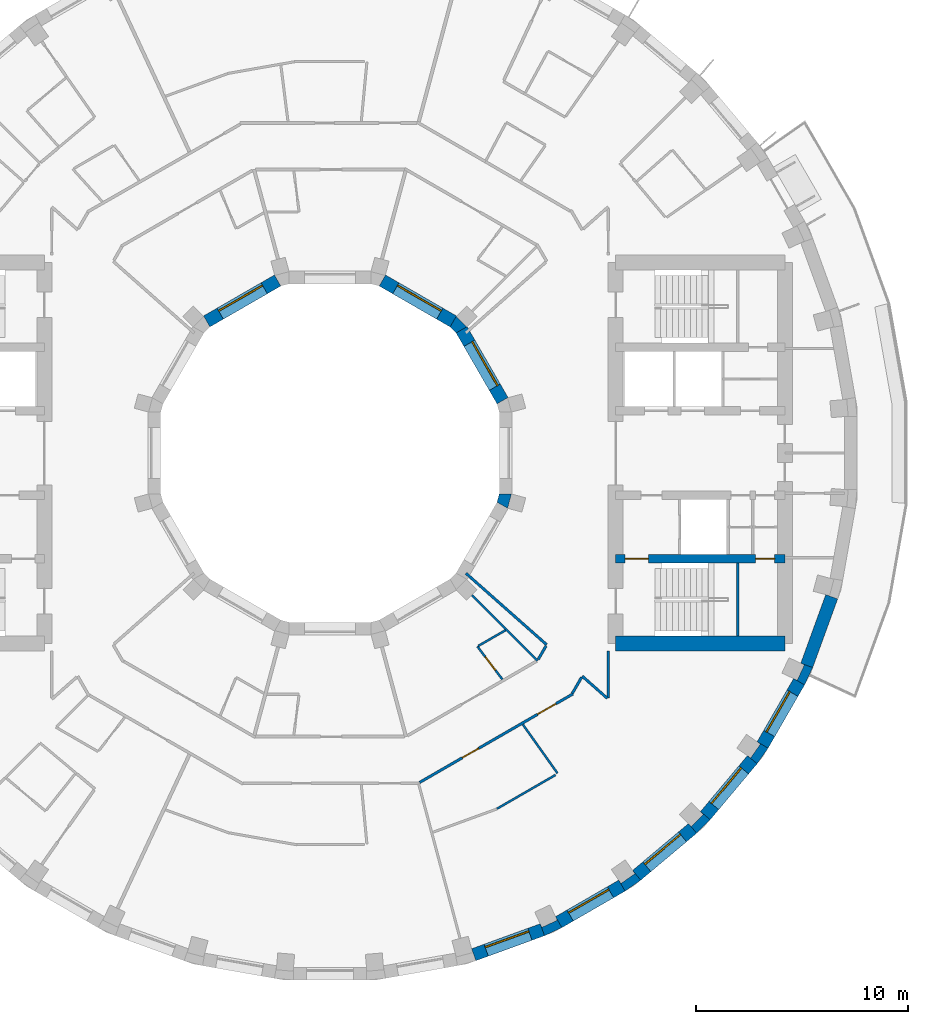
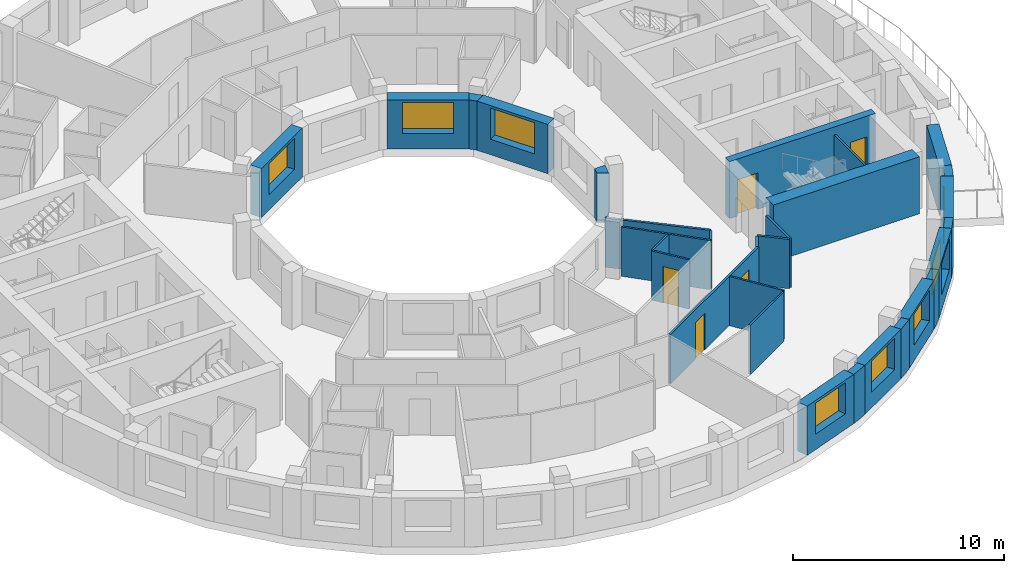
# One storey, part 5 of 11: 30 walls, 8 windows, 5 doors, 13 openings.
"""IFC4 building model written with IfcOpenShell, lengths in metres."""

from ifc_helpers import new_model, si_unit, direction, frame, frame_2d, origin, place, context, subcontext, project, spatial, polyline, rectangle, outline, extrude, material, layer, layer_set, type_object, element, fill, save


model = new_model("IFC4")

# Units and contexts
model_context = context("Model", 3, precision=1e-05, world=origin(), true_north=direction((0.0, 1.0)))
body_context = subcontext(model_context, "Body", "Model", "MODEL_VIEW")
ifc_project = project(units=[si_unit("LENGTHUNIT", "METRE"), si_unit("AREAUNIT", "SQUARE_METRE"), si_unit("VOLUMEUNIT", "CUBIC_METRE"), si_unit("PLANEANGLEUNIT", "RADIAN"), si_unit("MASSUNIT", "GRAM", prefix="KILO")], contexts=[model_context])

# Site, building, storey
site_placement = place(None, origin())
site = spatial("IfcSite", under=ifc_project, at=site_placement, CompositionType="ELEMENT")
building_placement = place(site_placement, origin())
building = spatial("IfcBuilding", under=site, at=building_placement, Name="Saqina Gate Tower", CompositionType="ELEMENT")
storey_placement = place(building_placement, frame((0.0, 0.0, 187.199951171875)))
storey = spatial("IfcBuildingStorey", under=building, at=storey_placement, Name="L53", CompositionType="ELEMENT", Elevation=187.199951171875)

# Walls
ifc_material_1 = material(Name="Brick masonry (buff)", Category="masonry")
wall_type_1 = type_object("IfcWallType", Name="BRICK PIER COPING BUFF", PredefinedType="SOLIDWALL", material=ifc_material_1)
wall_1_placement = place(storey_placement, origin())
element("IfcWall", 1, at=wall_1_placement, inside=storey, type_object=wall_type_1, Name="Pier cap L53 column 30", PredefinedType="SOLIDWALL", context=body_context, shape_type="SweptSolid", body=[
    extrude(outline(polyline([(10.958740234375, -22.4306640625), (10.65869140625, -21.9111328125), (10.73779296875, -22.080810546875), (10.0126953125, -22.4189453125), (9.93359375, -22.249267578125), (10.138916015625, -22.81298828125), (10.958740234375, -22.4306640625)])), origin(), (0.0, 0.0, 1.0), 2.85009765625),
])
wall_2_placement = place(storey_placement, origin())
element("IfcWall", 2, at=wall_2_placement, inside=storey, type_object=wall_type_1, Name="Pier cap L53 column 31", PredefinedType="SOLIDWALL", context=body_context, shape_type="SweptSolid", body=[
    extrude(outline(polyline([(13.9462890625, -20.705810546875), (14.687255859375, -20.18701171875), (14.301513671875, -19.727294921875), (14.408935546875, -19.880859375), (13.753662109375, -20.339599609375), (13.646240234375, -20.186279296875), (13.9462890625, -20.705810546875)])), origin(), (0.0, 0.0, 1.0), 2.85009765625),
])
wall_3_placement = place(storey_placement, origin())
element("IfcWall", 3, at=wall_3_placement, inside=storey, type_object=wall_type_1, Name="Pier cap L53 column 32", PredefinedType="SOLIDWALL", context=body_context, shape_type="SweptSolid", body=[
    extrude(outline(polyline([(17.969482421875, -17.329833984375), (17.510009765625, -16.944091796875), (17.642333984375, -17.07666015625), (17.07666015625, -17.642333984375), (16.944091796875, -17.510009765625), (17.329833984375, -17.969482421875), (17.969482421875, -17.329833984375)])), origin(), (0.0, 0.0, 1.0), 2.85009765625),
])
wall_4_placement = place(storey_placement, origin())
element("IfcWall", 4, at=wall_4_placement, inside=storey, type_object=wall_type_1, Name="Pier cap L53 column 33", PredefinedType="SOLIDWALL", context=body_context, shape_type="SweptSolid", body=[
    extrude(outline(polyline([(20.18701171875, -14.687255859375), (20.705810546875, -13.9462890625), (20.186279296875, -13.646240234375), (20.339599609375, -13.753662109375), (19.880859375, -14.408935546875), (19.727294921875, -14.301513671875), (20.18701171875, -14.687255859375)])), origin(), (0.0, 0.0, 1.0), 2.85009765625),
])
wall_5_placement = place(storey_placement, origin())
element("IfcWall", 5, at=wall_5_placement, inside=storey, type_object=wall_type_1, Name="Pier cap L53 column 34", PredefinedType="SOLIDWALL", context=body_context, shape_type="SweptSolid", body=[
    extrude(outline(polyline([(22.81298828125, -10.138916015625), (22.249267578125, -9.93359375), (22.4189453125, -10.0126953125), (22.080810546875, -10.73779296875), (21.9111328125, -10.65869140625), (22.4306640625, -10.958740234375), (22.81298828125, -10.138916015625)])), origin(), (0.0, 0.0, 1.0), 2.85009765625),
])

# Wall, opening, window
ifc_material_2 = material(Name="Brick masonry (buff)", Category="masonry")
ifc_layer_1 = layer(ifc_material_2, 0.60009765625)
ifc_layer_set_1 = layer_set([ifc_layer_1], Name="FW-BRICK-BUFF")
wall_type_2 = type_object("IfcWallType", Name="FW-BRICK-BUFF", PredefinedType="SOLIDWALL", material=ifc_layer_set_1)
wall_6_placement = place(storey_placement, frame((6.79443359375, -23.7109375, 0.0), z_axis=(0.0, 0.0, 1.0), x_axis=(0.93968799822, 0.342032843455, 0.0)))
wall_6 = element("IfcWall", 6, at=wall_6_placement, inside=storey, type_object=wall_type_2, Name="Facade wall L53 facet 29", PredefinedType="SOLIDWALL", context=body_context, shape_type="SweptSolid", body=[
    extrude(rectangle(XDim=3.44970703125, YDim=0.60009765625, at=frame_2d((1.724853515625, 0.0))), origin(), (0.0, 0.0, 1.0), 2.85009765625),
])
opening_1_placement = place(wall_6_placement, frame((0.625, 0.0, 0.89990234375)))
opening_1 = element("IfcOpeningElement", 7, at=opening_1_placement, cuts=wall_6, Name="Opening G15-W21", PredefinedType="OPENING", context=body_context, shape_type="SweptSolid", body=[
    extrude(rectangle(XDim=2.199951171875, YDim=1.800048828125, at=frame_2d((1.10009765625, 0.89990234375))), frame((0.0, 0.31201171875, 0.0), z_axis=(0.0, -1.0, 0.0), x_axis=(1.0, 0.0, 0.0)), (0.0, 0.0, 1.0), 0.6240234375),
])
ifc_material_3 = material(Name="Aluminium glazing", Category="aluminium")
window_type_1 = type_object("IfcWindowType", Name="WN-C", PartitioningType="SINGLE_PANEL", PredefinedType="WINDOW", material=ifc_material_3)
window_1_placement = place(opening_1_placement, origin())
window_1 = element("IfcWindow", 8, at=window_1_placement, inside=storey, type_object=window_type_1, Name="Window L53 facet 29", OverallHeight=1.800048828125, OverallWidth=2.199951171875, PartitioningType="SINGLE_PANEL", PredefinedType="WINDOW", context=body_context, shape_type="SweptSolid", body=[
    extrude(rectangle(XDim=2.199951171875, YDim=1.800048828125, at=frame_2d((1.10009765625, 0.89990234375))), frame((0.0, 0.179931640625, 0.0), z_axis=(0.0, -1.0, 0.0), x_axis=(1.0, 0.0, 0.0)), (0.0, 0.0, 1.0), 0.06005859375),
])
fill(opening_1, window_1)

wall_7_placement = place(storey_placement, frame((10.80859375, -22.1708984375, 0.0), z_axis=(0.0, 0.0, 1.0), x_axis=(0.86602648383, 0.499998129301, 0.0)))
wall_7 = element("IfcWall", 9, at=wall_7_placement, inside=storey, type_object=wall_type_2, Name="Facade wall L53 facet 30", PredefinedType="SOLIDWALL", context=body_context, shape_type="SweptSolid", body=[
    extrude(rectangle(XDim=3.44970703125, YDim=0.60009765625, at=frame_2d((1.724853515625, 0.0))), origin(), (0.0, 0.0, 1.0), 2.85009765625),
])
opening_2_placement = place(wall_7_placement, frame((0.625, 0.0, 0.89990234375)))
opening_2 = element("IfcOpeningElement", 10, at=opening_2_placement, cuts=wall_7, Name="Opening G15-W22", PredefinedType="OPENING", context=body_context, shape_type="SweptSolid", body=[
    extrude(rectangle(XDim=2.199951171875, YDim=1.800048828125, at=frame_2d((1.10009765625, 0.89990234375))), frame((0.0, 0.31201171875, 0.0), z_axis=(0.0, -1.0, 0.0), x_axis=(1.0, 0.0, 0.0)), (0.0, 0.0, 1.0), 0.6240234375),
])
window_2_placement = place(opening_2_placement, origin())
window_2 = element("IfcWindow", 11, at=window_2_placement, inside=storey, type_object=window_type_1, Name="Window L53 facet 30", OverallHeight=1.800048828125, OverallWidth=2.199951171875, PartitioningType="SINGLE_PANEL", PredefinedType="WINDOW", context=body_context, shape_type="SweptSolid", body=[
    extrude(rectangle(XDim=2.199951171875, YDim=1.800048828125, at=frame_2d((1.10009765625, 0.89990234375))), frame((0.0, 0.179931640625, 0.0), z_axis=(0.0, -1.0, 0.0), x_axis=(1.0, 0.0, 0.0)), (0.0, 0.0, 1.0), 0.06005859375),
])
fill(opening_2, window_2)

wall_8_placement = place(storey_placement, frame((14.494384765625, -19.95703125, 0.0), z_axis=(0.0, 0.0, 1.0), x_axis=(0.766058884809, 0.642770398358, 0.0)))
wall_8 = element("IfcWall", 12, at=wall_8_placement, inside=storey, type_object=wall_type_2, Name="Facade wall L53 facet 31", PredefinedType="SOLIDWALL", context=body_context, shape_type="SweptSolid", body=[
    extrude(rectangle(XDim=3.449462890625, YDim=0.60009765625, at=frame_2d((1.724609375, 0.0))), origin(), (0.0, 0.0, 1.0), 2.85009765625),
])
opening_3_placement = place(wall_8_placement, frame((0.625, 0.0, 0.89990234375)))
opening_3 = element("IfcOpeningElement", 13, at=opening_3_placement, cuts=wall_8, Name="Opening G15-W23", PredefinedType="OPENING", context=body_context, shape_type="SweptSolid", body=[
    extrude(rectangle(XDim=2.199951171875, YDim=1.800048828125, at=frame_2d((1.10009765625, 0.89990234375))), frame((0.0, 0.31201171875, 0.0), z_axis=(0.0, -1.0, 0.0), x_axis=(1.0, 0.0, 0.0)), (0.0, 0.0, 1.0), 0.6240234375),
])
window_3_placement = place(opening_3_placement, origin())
window_3 = element("IfcWindow", 14, at=window_3_placement, inside=storey, type_object=window_type_1, Name="Window L53 facet 31", OverallHeight=1.800048828125, OverallWidth=2.199951171875, PartitioningType="SINGLE_PANEL", PredefinedType="WINDOW", context=body_context, shape_type="SweptSolid", body=[
    extrude(rectangle(XDim=2.199951171875, YDim=1.800048828125, at=frame_2d((1.10009765625, 0.89990234375))), frame((0.0, 0.179931640625, 0.0), z_axis=(0.0, -1.0, 0.0), x_axis=(1.0, 0.0, 0.0)), (0.0, 0.0, 1.0), 0.06005859375),
])
fill(opening_3, window_3)

wall_9_placement = place(storey_placement, frame((17.73974609375, -17.136962890625, 0.0), z_axis=(0.0, 0.0, 1.0), x_axis=(0.642770398358, 0.766058884809, 0.0)))
wall_9 = element("IfcWall", 15, at=wall_9_placement, inside=storey, type_object=wall_type_2, Name="Facade wall L53 facet 32", PredefinedType="SOLIDWALL", context=body_context, shape_type="SweptSolid", body=[
    extrude(rectangle(XDim=3.449462890625, YDim=0.60009765625, at=frame_2d((1.724609375, 0.0))), origin(), (0.0, 0.0, 1.0), 2.85009765625),
])
opening_4_placement = place(wall_9_placement, frame((0.625, 0.0, 0.89990234375)))
opening_4 = element("IfcOpeningElement", 16, at=opening_4_placement, cuts=wall_9, Name="Opening G15-W24", PredefinedType="OPENING", context=body_context, shape_type="SweptSolid", body=[
    extrude(rectangle(XDim=2.199951171875, YDim=1.800048828125, at=frame_2d((1.10009765625, 0.89990234375))), frame((0.0, 0.31201171875, 0.0), z_axis=(0.0, -1.0, 0.0), x_axis=(1.0, 0.0, 0.0)), (0.0, 0.0, 1.0), 0.6240234375),
])
window_4_placement = place(opening_4_placement, origin())
window_4 = element("IfcWindow", 17, at=window_4_placement, inside=storey, type_object=window_type_1, Name="Window L53 facet 32", OverallHeight=1.800048828125, OverallWidth=2.199951171875, PartitioningType="SINGLE_PANEL", PredefinedType="WINDOW", context=body_context, shape_type="SweptSolid", body=[
    extrude(rectangle(XDim=2.199951171875, YDim=1.800048828125, at=frame_2d((1.10009765625, 0.89990234375))), frame((0.0, 0.179931640625, 0.0), z_axis=(0.0, -1.0, 0.0), x_axis=(1.0, 0.0, 0.0)), (0.0, 0.0, 1.0), 0.06005859375),
])
fill(opening_4, window_4)

wall_10_placement = place(storey_placement, frame((20.446044921875, -13.796142578125, 0.0), z_axis=(0.0, 0.0, 1.0), x_axis=(0.499998129301, 0.86602648383, 0.0)))
wall_10 = element("IfcWall", 18, at=wall_10_placement, inside=storey, type_object=wall_type_2, Name="Facade wall L53 facet 33", PredefinedType="SOLIDWALL", context=body_context, shape_type="SweptSolid", body=[
    extrude(rectangle(XDim=3.44970703125, YDim=0.60009765625, at=frame_2d((1.724853515625, 0.0))), origin(), (0.0, 0.0, 1.0), 2.85009765625),
])
opening_5_placement = place(wall_10_placement, frame((0.625, 0.0, 0.89990234375)))
opening_5 = element("IfcOpeningElement", 19, at=opening_5_placement, cuts=wall_10, Name="Opening G15-W25", PredefinedType="OPENING", context=body_context, shape_type="SweptSolid", body=[
    extrude(rectangle(XDim=2.199951171875, YDim=1.800048828125, at=frame_2d((1.10009765625, 0.89990234375))), frame((0.0, 0.31201171875, 0.0), z_axis=(0.0, -1.0, 0.0), x_axis=(1.0, 0.0, 0.0)), (0.0, 0.0, 1.0), 0.6240234375),
])
window_5_placement = place(opening_5_placement, origin())
window_5 = element("IfcWindow", 20, at=window_5_placement, inside=storey, type_object=window_type_1, Name="Window L53 facet 33", OverallHeight=1.800048828125, OverallWidth=2.199951171875, PartitioningType="SINGLE_PANEL", PredefinedType="WINDOW", context=body_context, shape_type="SweptSolid", body=[
    extrude(rectangle(XDim=2.199951171875, YDim=1.800048828125, at=frame_2d((1.10009765625, 0.89990234375))), frame((0.0, 0.179931640625, 0.0), z_axis=(0.0, -1.0, 0.0), x_axis=(1.0, 0.0, 0.0)), (0.0, 0.0, 1.0), 0.06005859375),
])
fill(opening_5, window_5)

# Wall
ifc_material_4 = material(Name="Glazed ceramic tile", Category="ceramic")
ifc_layer_2 = layer(ifc_material_4, 0.60009765625)
ifc_layer_set_2 = layer_set([ifc_layer_2], Name="FW-TILE")
wall_type_3 = type_object("IfcWallType", Name="FW-TILE", PredefinedType="SOLIDWALL", material=ifc_layer_set_2)
wall_11_placement = place(storey_placement, frame((22.531005859375, -10.0361328125, 0.0), z_axis=(0.0, 0.0, 1.0), x_axis=(0.342032843455, 0.93968799822, 0.0)))
element("IfcWall", 21, at=wall_11_placement, inside=storey, type_object=wall_type_3, Name="Facade wall L53 facet 34", PredefinedType="SOLIDWALL", context=body_context, shape_type="SweptSolid", body=[
    extrude(rectangle(XDim=3.44970703125, YDim=0.60009765625, at=frame_2d((1.724853515625, 0.0))), origin(), (0.0, 0.0, 1.0), 2.85009765625),
])

# Wall, opening, window
ifc_material_5 = material(Name="Glazed ceramic tile", Category="ceramic")
ifc_layer_3 = layer(ifc_material_5, 0.60009765625)
ifc_layer_set_3 = layer_set([ifc_layer_3], Name="IW-TILE")
wall_type_4 = type_object("IfcWallType", Name="IW-TILE", PredefinedType="SOLIDWALL", material=ifc_layer_set_3)
wall_12_placement = place(storey_placement, frame((8.155517578125, 2.474365234375, 0.0), z_axis=(0.0, 0.0, 1.0), x_axis=(-0.500033728941, 0.866005929495, 0.0)))
wall_12 = element("IfcWall", 22, at=wall_12_placement, inside=storey, type_object=wall_type_4, Name="Well wall L53 facet 1", PredefinedType="SOLIDWALL", context=body_context, shape_type="SweptSolid", body=[
    extrude(rectangle(XDim=3.869873046875, YDim=0.60009765625, at=frame_2d((1.93505859375, 0.0))), origin(), (0.0, 0.0, 1.0), 2.85009765625),
])
opening_6_placement = place(wall_12_placement, frame((0.73486328125, 0.0, 0.89990234375)))
opening_6 = element("IfcOpeningElement", 23, at=opening_6_placement, cuts=wall_12, Name="Opening G15-W26", PredefinedType="OPENING", context=body_context, shape_type="SweptSolid", body=[
    extrude(rectangle(XDim=2.39990234375, YDim=1.800048828125, at=frame_2d((1.199951171875, 0.89990234375))), frame((0.0, 0.31201171875, 0.0), z_axis=(0.0, -1.0, 0.0), x_axis=(1.0, 0.0, 0.0)), (0.0, 0.0, 1.0), 0.6240234375),
])
ifc_material_6 = material(Name="Aluminium glazing", Category="aluminium")
window_type_2 = type_object("IfcWindowType", Name="WN-W", PartitioningType="SINGLE_PANEL", PredefinedType="WINDOW", material=ifc_material_6)
window_6_placement = place(opening_6_placement, origin())
window_6 = element("IfcWindow", 24, at=window_6_placement, inside=storey, type_object=window_type_2, Name="Well window L53 facet 1", OverallHeight=1.800048828125, OverallWidth=2.39990234375, PartitioningType="SINGLE_PANEL", PredefinedType="WINDOW", context=body_context, shape_type="SweptSolid", body=[
    extrude(rectangle(XDim=2.39990234375, YDim=1.800048828125, at=frame_2d((1.199951171875, 0.89990234375))), frame((0.0, -0.119873046875, 0.0), z_axis=(0.0, -1.0, 0.0), x_axis=(1.0, 0.0, 0.0)), (0.0, 0.0, 1.0), 0.06005859375),
])
fill(opening_6, window_6)

wall_13_placement = place(storey_placement, frame((5.82568359375, 6.220458984375, 0.0), z_axis=(0.0, 0.0, 1.0), x_axis=(-0.866005929495, 0.500033728941, 0.0)))
wall_13 = element("IfcWall", 25, at=wall_13_placement, inside=storey, type_object=wall_type_4, Name="Well wall L53 facet 2", PredefinedType="SOLIDWALL", context=body_context, shape_type="SweptSolid", body=[
    extrude(rectangle(XDim=3.869873046875, YDim=0.60009765625, at=frame_2d((1.93505859375, 0.0))), origin(), (0.0, 0.0, 1.0), 2.85009765625),
])
opening_7_placement = place(wall_13_placement, frame((0.73486328125, 0.0, 0.89990234375)))
opening_7 = element("IfcOpeningElement", 26, at=opening_7_placement, cuts=wall_13, Name="Opening G15-W27", PredefinedType="OPENING", context=body_context, shape_type="SweptSolid", body=[
    extrude(rectangle(XDim=2.39990234375, YDim=1.800048828125, at=frame_2d((1.199951171875, 0.89990234375))), frame((0.0, 0.31201171875, 0.0), z_axis=(0.0, -1.0, 0.0), x_axis=(1.0, 0.0, 0.0)), (0.0, 0.0, 1.0), 0.6240234375),
])
window_7_placement = place(opening_7_placement, origin())
window_7 = element("IfcWindow", 27, at=window_7_placement, inside=storey, type_object=window_type_2, Name="Well window L53 facet 2", OverallHeight=1.800048828125, OverallWidth=2.39990234375, PartitioningType="SINGLE_PANEL", PredefinedType="WINDOW", context=body_context, shape_type="SweptSolid", body=[
    extrude(rectangle(XDim=2.39990234375, YDim=1.800048828125, at=frame_2d((1.199951171875, 0.89990234375))), frame((0.0, -0.119873046875, 0.0), z_axis=(0.0, -1.0, 0.0), x_axis=(1.0, 0.0, 0.0)), (0.0, 0.0, 1.0), 0.06005859375),
])
fill(opening_7, window_7)

wall_14_placement = place(storey_placement, frame((-2.474365234375, 8.155517578125, 0.0), z_axis=(0.0, 0.0, 1.0), x_axis=(-0.866005929495, -0.500033728941, 0.0)))
wall_14 = element("IfcWall", 28, at=wall_14_placement, inside=storey, type_object=wall_type_4, Name="Well wall L53 facet 4", PredefinedType="SOLIDWALL", context=body_context, shape_type="SweptSolid", body=[
    extrude(rectangle(XDim=3.869873046875, YDim=0.60009765625, at=frame_2d((1.93505859375, 0.0))), origin(), (0.0, 0.0, 1.0), 2.85009765625),
])
opening_8_placement = place(wall_14_placement, frame((0.73486328125, 0.0, 0.89990234375)))
opening_8 = element("IfcOpeningElement", 29, at=opening_8_placement, cuts=wall_14, Name="Opening G15-W29", PredefinedType="OPENING", context=body_context, shape_type="SweptSolid", body=[
    extrude(rectangle(XDim=2.39990234375, YDim=1.800048828125, at=frame_2d((1.199951171875, 0.89990234375))), frame((0.0, 0.31201171875, 0.0), z_axis=(0.0, -1.0, 0.0), x_axis=(1.0, 0.0, 0.0)), (0.0, 0.0, 1.0), 0.6240234375),
])
window_8_placement = place(opening_8_placement, origin())
window_8 = element("IfcWindow", 30, at=window_8_placement, inside=storey, type_object=window_type_2, Name="Well window L53 facet 4", OverallHeight=1.800048828125, OverallWidth=2.39990234375, PartitioningType="SINGLE_PANEL", PredefinedType="WINDOW", context=body_context, shape_type="SweptSolid", body=[
    extrude(rectangle(XDim=2.39990234375, YDim=1.800048828125, at=frame_2d((1.199951171875, 0.89990234375))), frame((0.0, -0.119873046875, 0.0), z_axis=(0.0, -1.0, 0.0), x_axis=(1.0, 0.0, 0.0)), (0.0, 0.0, 1.0), 0.06005859375),
])
fill(opening_8, window_8)

# Wall
ifc_material_7 = material(Name="Gypsum board on steel studs, 100 mm", Category="steel")
ifc_layer_4 = layer(ifc_material_7, 0.10009765625)
ifc_layer_set_4 = layer_set([ifc_layer_4], Name="PARTITION 100")
wall_type_5 = type_object("IfcWallType", Name="PARTITION 100", PredefinedType="PARTITIONING", material=ifc_layer_set_4)
wall_15_placement = place(storey_placement, frame((9.111083984375, -12.824951171875, 0.0), z_axis=(0.0, 0.0, 1.0), x_axis=(0.579255360371, -0.815146138727, 0.0)))
element("IfcWall", 31, at=wall_15_placement, inside=storey, type_object=wall_type_5, Name="PARTITION PW3-10", PredefinedType="PARTITIONING", context=body_context, shape_type="SweptSolid", body=[
    extrude(rectangle(XDim=2.832763671875, YDim=0.10009765625, at=frame_2d((1.41650390625, 0.0))), origin(), (0.0, 0.0, 1.0), 2.85009765625),
])

# Wall, opening, door
wall_16_placement = place(storey_placement, frame((6.965087890625, -9.14208984375, 0.0), z_axis=(0.0, 0.0, 1.0), x_axis=(0.606001795315, -0.795463276383, 0.0)))
wall_16 = element("IfcWall", 32, at=wall_16_placement, inside=storey, type_object=wall_type_5, Name="PARTITION PW3-11", PredefinedType="PARTITIONING", context=body_context, shape_type="SweptSolid", body=[
    extrude(rectangle(XDim=1.95361328125, YDim=0.10009765625, at=frame_2d((0.976806640625, 0.0))), origin(), (0.0, 0.0, 1.0), 2.85009765625),
])
opening_9_placement = place(wall_16_placement, frame((0.608154296875, 0.0, 0.0)))
opening_9 = element("IfcOpeningElement", 33, at=opening_9_placement, cuts=wall_16, Name="Opening G15-D36", PredefinedType="OPENING", context=body_context, shape_type="SweptSolid", body=[
    extrude(rectangle(XDim=0.800048828125, YDim=2.10009765625, at=frame_2d((0.39990234375, 1.050048828125))), frame((0.0, 0.06201171875, 0.0), z_axis=(0.0, -1.0, 0.0), x_axis=(1.0, 0.0, 0.0)), (0.0, 0.0, 1.0), 0.1240234375),
])
ifc_material_8 = material(Name="Timber door leaf, 800 mm", Category="wood")
door_type_1 = type_object("IfcDoorType", Name="DOOR 800 TIMBER", OperationType="SINGLE_SWING_LEFT", PredefinedType="DOOR", material=ifc_material_8)
door_1_placement = place(opening_9_placement, frame((0.800048828125, 0.0, 0.0), z_axis=(0.0, 0.0, 1.0), x_axis=(-1.0, 0.0, 0.0)))
door_1 = element("IfcDoor", 34, at=door_1_placement, inside=storey, type_object=door_type_1, Name="DOOR G15-D36", OperationType="SINGLE_SWING_LEFT", OverallHeight=2.10009765625, OverallWidth=0.800048828125, PredefinedType="DOOR", context=body_context, shape_type="SweptSolid", body=[
    extrude(rectangle(XDim=0.800048828125, YDim=2.10009765625, at=frame_2d((0.39990234375, 1.050048828125))), frame((0.0, 0.02490234375, 0.0), z_axis=(0.0, -1.0, 0.0), x_axis=(1.0, 0.0, 0.0)), (0.0, 0.0, 1.0), 0.050048828125),
])
fill(opening_9, door_1)

# Walls
wall_17_placement = place(storey_placement, frame((6.7119140625, -6.7119140625, 0.0), z_axis=(0.0, 0.0, 1.0), x_axis=(0.707106781187, -0.707106781187, 0.0)))
element("IfcWall", 35, at=wall_17_placement, inside=storey, type_object=wall_type_5, Name="PARTITION PW3-17", PredefinedType="PARTITIONING", context=body_context, shape_type="SweptSolid", body=[
    extrude(rectangle(XDim=4.380126953125, YDim=0.10009765625, at=frame_2d((2.18994140625, 0.0))), origin(), (0.0, 0.0, 1.0), 2.85009765625),
])
wall_18_placement = place(storey_placement, frame((7.893310546875, -16.81005859375, 0.0), z_axis=(0.0, 0.0, 1.0), x_axis=(0.866014687101, 0.50001856138, 0.0)))
element("IfcWall", 36, at=wall_18_placement, inside=storey, type_object=wall_type_5, Name="PARTITION PW3-39", PredefinedType="PARTITIONING", context=body_context, shape_type="SweptSolid", body=[
    extrude(rectangle(XDim=3.18798828125, YDim=0.10009765625, at=frame_2d((1.593994140625, 0.0))), origin(), (0.0, 0.0, 1.0), 2.85009765625),
])
wall_19_placement = place(storey_placement, frame((7.00830078125, -9.116943359375, 0.0), z_axis=(0.0, 0.0, 1.0), x_axis=(0.866011369566, 0.500024307192, 0.0)))
element("IfcWall", 37, at=wall_19_placement, inside=storey, type_object=wall_type_5, Name="PARTITION PW3-40", PredefinedType="PARTITIONING", context=body_context, shape_type="SweptSolid", body=[
    extrude(rectangle(XDim=1.49365234375, YDim=0.10009765625, at=frame_2d((0.746826171875, 0.0))), origin(), (0.0, 0.0, 1.0), 2.85009765625),
])
ifc_material_9 = material(Name="Gypsum board on steel studs, 125 mm, fire rated", Category="steel")
ifc_layer_5 = layer(ifc_material_9, 0.125)
ifc_layer_set_5 = layer_set([ifc_layer_5], Name="PARTITION EI 30 125")
wall_type_6 = type_object("IfcWallType", Name="PARTITION EI 30 125", PredefinedType="PARTITIONING", material=ifc_layer_set_5)
wall_20_placement = place(storey_placement, frame((11.922607421875, -10.546875, 0.0), z_axis=(0.0, 0.0, 1.0), x_axis=(0.749268344005, -0.662266523895, 0.0)))
element("IfcWall", 38, at=wall_20_placement, inside=storey, type_object=wall_type_6, Name="PARTITION PW1-08", PredefinedType="PARTITIONING", context=body_context, shape_type="SweptSolid", body=[
    extrude(rectangle(XDim=1.5771484375, YDim=0.125, at=frame_2d((0.78857421875, 0.0))), origin(), (0.0, 0.0, 1.0), 2.85009765625),
])
wall_21_placement = place(storey_placement, frame((6.419921875, -5.679931640625, 0.0), z_axis=(0.0, 0.0, 1.0), x_axis=(0.748964600862, -0.662610010983, 0.0)))
element("IfcWall", 39, at=wall_21_placement, inside=storey, type_object=wall_type_6, Name="PARTITION PW1-11", PredefinedType="PARTITIONING", context=body_context, shape_type="SweptSolid", body=[
    extrude(rectangle(XDim=5.10302734375, YDim=0.125, at=frame_2d((2.551513671875, 0.0))), origin(), (0.0, 0.0, 1.0), 2.85009765625),
])

# Wall, openings, doors
wall_22_placement = place(storey_placement, frame((4.234130859375, -15.56884765625, 0.0), z_axis=(0.0, 0.0, 1.0), x_axis=(0.866024799292, 0.50000104701, 0.0)))
wall_22 = element("IfcWall", 40, at=wall_22_placement, inside=storey, type_object=wall_type_6, Name="PARTITION PW1-24", PredefinedType="PARTITIONING", context=body_context, shape_type="SweptSolid", body=[
    extrude(rectangle(XDim=8.36962890625, YDim=0.125, at=frame_2d((4.184814453125, 0.0))), origin(), (0.0, 0.0, 1.0), 2.85009765625),
])
opening_10_placement = place(wall_22_placement, frame((2.327880859375, 0.0, 0.0)))
opening_10 = element("IfcOpeningElement", 41, at=opening_10_placement, cuts=wall_22, Name="Opening G15-D34", PredefinedType="OPENING", context=body_context, shape_type="SweptSolid", body=[
    extrude(rectangle(XDim=0.89990234375, YDim=2.10009765625, at=frame_2d((0.449951171875, 1.050048828125))), frame((0.0, 0.074462890625, 0.0), z_axis=(0.0, -1.0, 0.0), x_axis=(1.0, 0.0, 0.0)), (0.0, 0.0, 1.0), 0.14892578125),
])
opening_11_placement = place(wall_22_placement, frame((6.4423828125, 0.0, 0.0)))
opening_11 = element("IfcOpeningElement", 42, at=opening_11_placement, cuts=wall_22, Name="Opening G15-D37", PredefinedType="OPENING", context=body_context, shape_type="SweptSolid", body=[
    extrude(rectangle(XDim=1.0, YDim=2.10009765625, at=frame_2d((0.5, 1.050048828125))), frame((0.0, 0.074462890625, 0.0), z_axis=(0.0, -1.0, 0.0), x_axis=(1.0, 0.0, 0.0)), (0.0, 0.0, 1.0), 0.14892578125),
])
ifc_material_10 = material(Name="Fire door leaf EI 30, 1000 mm")
door_type_2 = type_object("IfcDoorType", Name="DOOR 1000 EI 30", OperationType="SINGLE_SWING_LEFT", PredefinedType="DOOR", material=ifc_material_10)
door_2_placement = place(opening_11_placement, origin())
door_2 = element("IfcDoor", 43, at=door_2_placement, inside=storey, type_object=door_type_2, Name="DOOR G15-D37", OperationType="SINGLE_SWING_RIGHT", OverallHeight=2.10009765625, OverallWidth=1.0, PredefinedType="DOOR", context=body_context, shape_type="SweptSolid", body=[
    extrude(rectangle(XDim=1.0, YDim=2.10009765625, at=frame_2d((0.5, 1.050048828125))), frame((0.0, 0.02490234375, 0.0), z_axis=(0.0, -1.0, 0.0), x_axis=(1.0, 0.0, 0.0)), (0.0, 0.0, 1.0), 0.050048828125),
])
fill(opening_11, door_2)
ifc_material_11 = material(Name="Fire door leaf EI 30, 900 mm")
door_type_3 = type_object("IfcDoorType", Name="DOOR 900 EI 30", OperationType="SINGLE_SWING_LEFT", PredefinedType="DOOR", material=ifc_material_11)
door_3_placement = place(opening_10_placement, frame((0.89990234375, 0.0, 0.0), z_axis=(0.0, 0.0, 1.0), x_axis=(-1.0, 0.0, 0.0)))
door_3 = element("IfcDoor", 44, at=door_3_placement, inside=storey, type_object=door_type_3, Name="DOOR G15-D34", OperationType="SINGLE_SWING_RIGHT", OverallHeight=2.10009765625, OverallWidth=0.89990234375, PredefinedType="DOOR", context=body_context, shape_type="SweptSolid", body=[
    extrude(rectangle(XDim=0.89990234375, YDim=2.10009765625, at=frame_2d((0.449951171875, 1.050048828125))), frame((0.0, 0.02490234375, 0.0), z_axis=(0.0, -1.0, 0.0), x_axis=(1.0, 0.0, 0.0)), (0.0, 0.0, 1.0), 0.050048828125),
])
fill(opening_10, door_3)

# Walls
wall_23_placement = place(storey_placement, frame((9.84033203125, -9.7548828125, 0.0), z_axis=(0.0, 0.0, 1.0), x_axis=(0.500827895298, 0.86554689029, 0.0)))
element("IfcWall", 45, at=wall_23_placement, inside=storey, type_object=wall_type_6, Name="PARTITION PW1-39", PredefinedType="PARTITIONING", context=body_context, shape_type="SweptSolid", body=[
    extrude(rectangle(XDim=0.739013671875, YDim=0.125, at=frame_2d((0.36962890625, 0.0))), origin(), (0.0, 0.0, 1.0), 2.85009765625),
])
wall_24_placement = place(storey_placement, frame((11.44921875, -11.364990234375, 0.0), z_axis=(0.0, 0.0, 1.0), x_axis=(0.50016217861, 0.865931749671, 0.0)))
element("IfcWall", 46, at=wall_24_placement, inside=storey, type_object=wall_type_6, Name="PARTITION PW1-41", PredefinedType="PARTITIONING", context=body_context, shape_type="SweptSolid", body=[
    extrude(rectangle(XDim=0.881103515625, YDim=0.125, at=frame_2d((0.4404296875, 0.0))), origin(), (0.0, 0.0, 1.0), 2.85009765625),
])
wall_25_placement = place(storey_placement, frame((13.14990234375, -11.571533203125, 0.0), z_axis=(0.0, 0.0, 1.0), x_axis=(0.0, 1.0, 0.0)))
element("IfcWall", 47, at=wall_25_placement, inside=storey, type_object=wall_type_6, Name="PARTITION PW1-45", PredefinedType="PARTITIONING", context=body_context, shape_type="SweptSolid", body=[
    extrude(rectangle(XDim=2.221435546875, YDim=0.125, at=frame_2d((1.11083984375, 0.0))), origin(), (0.0, 0.0, 1.0), 2.85009765625),
])
ifc_material_12 = material(Name="Autoclaved aerated concrete block", Category="concrete")
ifc_layer_6 = layer(ifc_material_12, 0.10009765625)
ifc_layer_set_6 = layer_set([ifc_layer_6], Name="STAIR ENCLOSURE WALL")
wall_type_7 = type_object("IfcWallType", Name="STAIR ENCLOSURE WALL", PredefinedType="PARTITIONING", material=ifc_layer_set_6)
wall_26_placement = place(storey_placement, frame((19.27001953125, -8.64990234375, 0.0), z_axis=(0.0, 0.0, 1.0), x_axis=(0.0, 1.0, 0.0)))
element("IfcWall", 48, at=wall_26_placement, inside=storey, type_object=wall_type_7, Name="L53-CP-E14", PredefinedType="PARTITIONING", context=body_context, shape_type="SweptSolid", body=[
    extrude(rectangle(XDim=3.449951171875, YDim=0.10009765625, at=frame_2d((1.72509765625, 0.0))), origin(), (0.0, 0.0, 1.0), 2.85009765625),
])

# Wall, openings, doors
ifc_material_13 = material(Name="Concrete C60/75", Category="concrete")
ifc_layer_7 = layer(ifc_material_13, 0.39990234375)
ifc_layer_set_7 = layer_set([ifc_layer_7], Name="Concrete C60/75")
wall_type_8 = type_object("IfcWallType", Name="STR-CORE WALL-C-I", PredefinedType="SHEAR", material=ifc_layer_set_7)
wall_27_placement = place(storey_placement, frame((13.5, -5.0, 0.0), z_axis=(0.0, 0.0, 1.0), x_axis=(1.0, 0.0, 0.0)))
wall_27 = element("IfcWall", 49, at=wall_27_placement, inside=storey, type_object=wall_type_8, Name="CORE WALL L53 E-X2", PredefinedType="SHEAR", context=body_context, shape_type="SweptSolid", body=[
    extrude(rectangle(XDim=8.0, YDim=0.39990234375, at=frame_2d((4.0, 0.0))), origin(), (0.0, 0.0, 1.0), 3.300048828125),
])
opening_12_placement = place(wall_27_placement, frame((6.614990234375, 0.0, 0.0)))
opening_12 = element("IfcOpeningElement", 50, at=opening_12_placement, cuts=wall_27, Name="Opening G15-D101", PredefinedType="OPENING", context=body_context, shape_type="SweptSolid", body=[
    extrude(rectangle(XDim=0.89990234375, YDim=2.10009765625, at=frame_2d((0.449951171875, 1.050048828125))), frame((0.0, 0.2119140625, 0.0), z_axis=(0.0, -1.0, 0.0), x_axis=(1.0, 0.0, 0.0)), (0.0, 0.0, 1.0), 0.423828125),
])
opening_13_placement = place(wall_27_placement, frame((0.449951171875, 0.0, 0.0)))
opening_13 = element("IfcOpeningElement", 51, at=opening_13_placement, cuts=wall_27, Name="Opening G15-D102", PredefinedType="OPENING", context=body_context, shape_type="SweptSolid", body=[
    extrude(rectangle(XDim=1.10009765625, YDim=2.10009765625, at=frame_2d((0.550048828125, 1.050048828125))), frame((0.0, 0.2119140625, 0.0), z_axis=(0.0, -1.0, 0.0), x_axis=(1.0, 0.0, 0.0)), (0.0, 0.0, 1.0), 0.423828125),
])
ifc_material_14 = material(Name="Steel", Category="steel")
door_type_4 = type_object("IfcDoorType", Name="FIRE LOBBY DOOR EI 60 WIDE", OperationType="SINGLE_SWING_LEFT", PredefinedType="DOOR", material=ifc_material_14)
door_4_placement = place(opening_13_placement, frame((1.10009765625, 0.0, 0.0), z_axis=(0.0, 0.0, 1.0), x_axis=(-1.0, 0.0, 0.0)))
door_4 = element("IfcDoor", 52, at=door_4_placement, inside=storey, type_object=door_type_4, Name="L53-CD-E13", OperationType="SINGLE_SWING_RIGHT", OverallHeight=2.10009765625, OverallWidth=1.10009765625, PredefinedType="DOOR", context=body_context, shape_type="SweptSolid", body=[
    extrude(rectangle(XDim=1.10009765625, YDim=2.10009765625, at=frame_2d((0.550048828125, 1.050048828125))), frame((0.0, 0.02490234375, 0.0), z_axis=(0.0, -1.0, 0.0), x_axis=(1.0, 0.0, 0.0)), (0.0, 0.0, 1.0), 0.050048828125),
])
fill(opening_13, door_4)
ifc_material_15 = material(Name="Steel-framed fire door leaf, EI 60", Category="steel")
door_type_5 = type_object("IfcDoorType", Name="SERVICE ROOM DOOR 900", OperationType="SINGLE_SWING_LEFT", PredefinedType="DOOR", material=ifc_material_15)
door_5_placement = place(opening_12_placement, frame((0.89990234375, 0.0, 0.0), z_axis=(0.0, 0.0, 1.0), x_axis=(-1.0, 0.0, 0.0)))
door_5 = element("IfcDoor", 53, at=door_5_placement, inside=storey, type_object=door_type_5, Name="L53-CD-E12", OperationType="SINGLE_SWING_LEFT", OverallHeight=2.10009765625, OverallWidth=0.89990234375, PredefinedType="DOOR", context=body_context, shape_type="SweptSolid", body=[
    extrude(rectangle(XDim=0.89990234375, YDim=2.10009765625, at=frame_2d((0.449951171875, 1.050048828125))), frame((0.0, 0.02490234375, 0.0), z_axis=(0.0, -1.0, 0.0), x_axis=(1.0, 0.0, 0.0)), (0.0, 0.0, 1.0), 0.050048828125),
])
fill(opening_12, door_5)

# Walls
ifc_material_16 = material(Name="Concrete C60/75", Category="concrete")
ifc_layer_8 = layer(ifc_material_16, 0.699951171875)
ifc_layer_set_8 = layer_set([ifc_layer_8], Name="Concrete C60/75")
wall_type_9 = type_object("IfcWallType", Name="STR-CORE WALL-C-O", PredefinedType="SHEAR", material=ifc_layer_set_8)
wall_28_placement = place(storey_placement, frame((13.5, -9.0, 0.0), z_axis=(0.0, 0.0, 1.0), x_axis=(1.0, 0.0, 0.0)))
element("IfcWall", 54, at=wall_28_placement, inside=storey, type_object=wall_type_9, Name="CORE WALL L53 E-SE", PredefinedType="SHEAR", context=body_context, shape_type="SweptSolid", body=[
    extrude(rectangle(XDim=8.0, YDim=0.699951171875, at=frame_2d((4.0, 0.0))), origin(), (0.0, 0.0, 1.0), 3.300048828125),
])
ifc_material_17 = material(Name="Glazed ceramic tile", Category="ceramic")
wall_type_10 = type_object("IfcWallType", Name="TILE PIER COPING", PredefinedType="SOLIDWALL", material=ifc_material_17)
wall_29_placement = place(storey_placement, origin())
element("IfcWall", 55, at=wall_29_placement, inside=storey, type_object=wall_type_10, Name="Well pier cap L53 column 2", PredefinedType="SOLIDWALL", context=body_context, shape_type="SweptSolid", body=[
    extrude(outline(polyline([(5.96240234375, 6.45751953125), (5.67578125, 5.960693359375), (5.960693359375, 5.67578125), (6.45751953125, 5.96240234375), (5.96240234375, 6.45751953125)])), origin(), (0.0, 0.0, 1.0), 2.85009765625),
])
wall_30_placement = place(storey_placement, origin())
element("IfcWall", 56, at=wall_30_placement, inside=storey, type_object=wall_type_10, Name="Well pier cap L53 column 12", PredefinedType="SOLIDWALL", context=body_context, shape_type="SweptSolid", body=[
    extrude(outline(polyline([(8.573486328125, -1.934814453125), (8.0, -1.934814453125), (7.895751953125, -2.32421875), (8.392333984375, -2.611083984375), (8.573486328125, -1.934814453125)])), origin(), (0.0, 0.0, 1.0), 2.85009765625),
])

save(model, "model.ifc")
